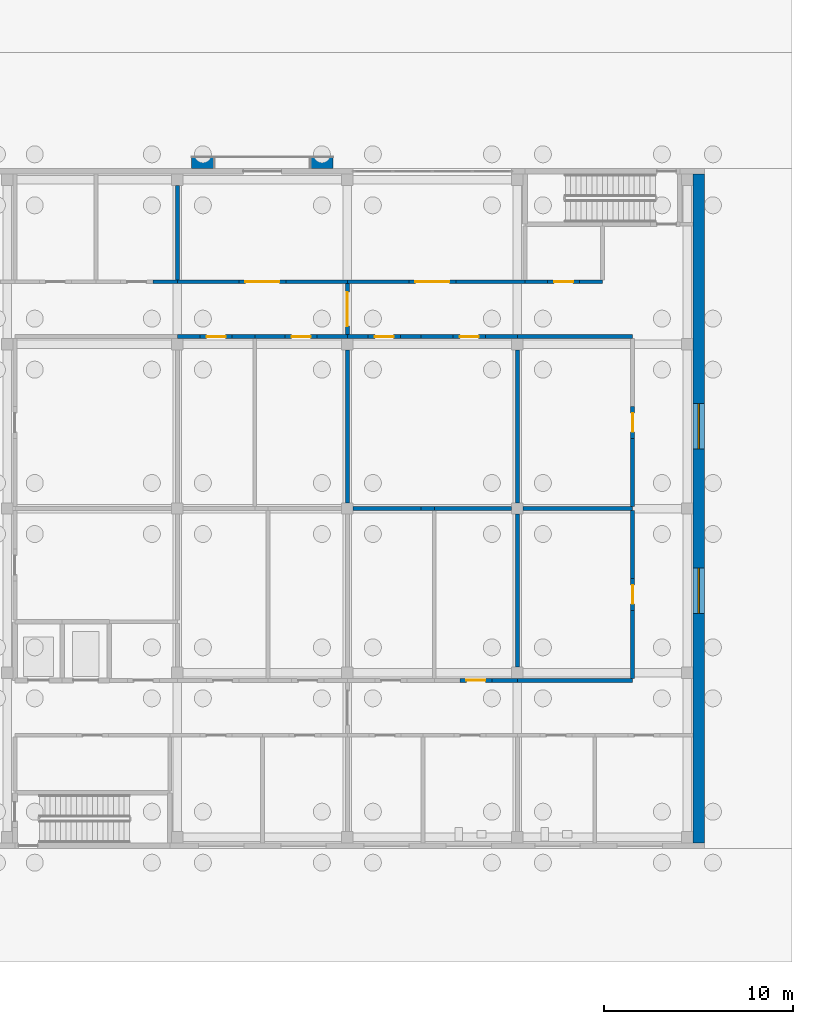
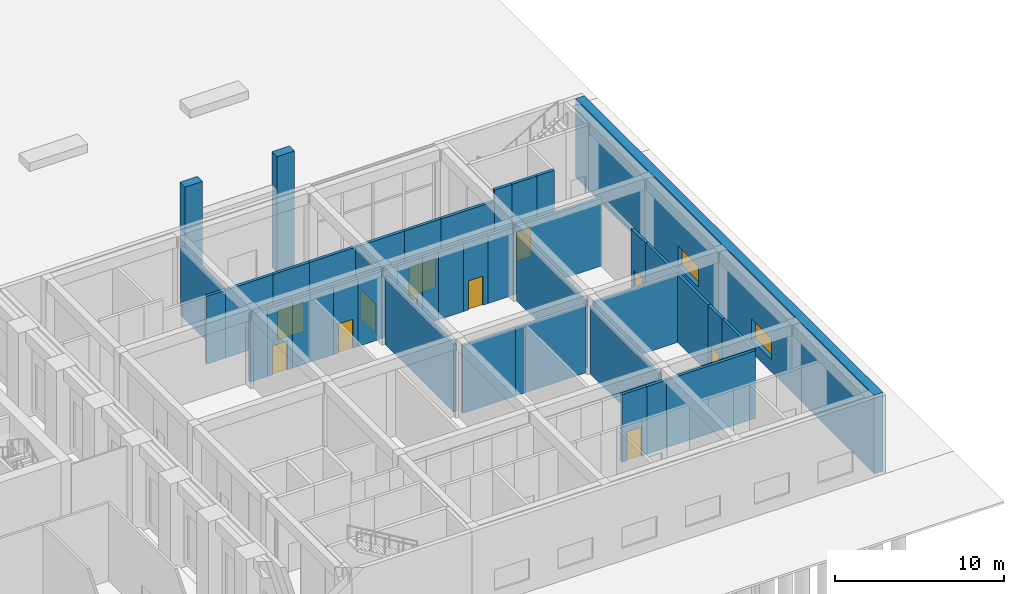
# One storey, part 21 of 31: 43 walls, 11 doors, 2 windows, 13 openings.
"""IFC4 building model written with IfcOpenShell, lengths in metres."""

from ifc_helpers import new_model, si_unit, direction, frame, frame_2d, origin, place, context, subcontext, project, spatial, rectangle, extrude, material, layer, layer_set, type_object, element, fill, save


model = new_model("IFC4")

# Units and contexts
model_context = context("Model", 3, precision=1e-05, world=origin(), true_north=direction((0.0, 1.0)))
body_context = subcontext(model_context, "Body", "Model", "MODEL_VIEW")
ifc_project = project(units=[si_unit("LENGTHUNIT", "METRE"), si_unit("AREAUNIT", "SQUARE_METRE"), si_unit("VOLUMEUNIT", "CUBIC_METRE"), si_unit("PLANEANGLEUNIT", "RADIAN"), si_unit("MASSUNIT", "GRAM", prefix="KILO")], contexts=[model_context])

# Site, building, storey
site_placement = place(None, origin())
site = spatial("IfcSite", under=ifc_project, at=site_placement, CompositionType="ELEMENT")
building_placement = place(site_placement, origin())
building = spatial("IfcBuilding", under=site, at=building_placement, Name="Girih Gate Residences", CompositionType="ELEMENT")
storey_placement = place(building_placement, origin())
storey = spatial("IfcBuildingStorey", under=building, at=storey_placement, Name="L00", CompositionType="ELEMENT", Elevation=0.0)

# Wall, opening, door
ifc_material_1 = material(Name="Fire-rated gypsum partition")
ifc_layer_1 = layer(ifc_material_1, 0.199951171875)
ifc_layer_set_1 = layer_set([ifc_layer_1], Name="HC Corridor wall 200 EI 60")
wall_type_1 = type_object("IfcWallType", Name="HC Corridor wall 200 EI 60", PredefinedType="PARTITIONING", material=ifc_layer_set_1)
wall_1_placement = place(storey_placement, frame((77.39990234375, 17.89990234375, 0.0), z_axis=(0.0, 0.0, 1.0), x_axis=(1.0, 0.0, 0.0)))
wall_1 = element("IfcWall", 1, at=wall_1_placement, inside=storey, type_object=wall_type_1, Name="L00 wall x17.90/77.4", PredefinedType="PARTITIONING", context=body_context, shape_type="SweptSolid", body=[
    extrude(rectangle(XDim=1.7001953125, YDim=0.199951171875, at=frame_2d((0.85009765625, 0.0))), origin(), (0.0, 0.0, 1.0), 4.89990234375),
])
opening_1_placement = place(wall_1_placement, frame((0.35009765625, 0.0, 0.0)))
opening_1 = element("IfcOpeningElement", 2, at=opening_1_placement, cuts=wall_1, Name="Opening HC-L00-D21", PredefinedType="OPENING", context=body_context, shape_type="SweptSolid", body=[
    extrude(rectangle(XDim=1.0, YDim=2.10009765625, at=frame_2d((0.5, 1.050048828125))), frame((0.0, 0.10986328125, 0.0), z_axis=(0.0, -1.0, 0.0), x_axis=(1.0, 0.0, 0.0)), (0.0, 0.0, 1.0), 0.219970703125),
])
ifc_material_2 = material(Name="Timber door set", Category="wood")
door_type_1 = type_object("IfcDoorType", Name="HC Door 1000x2100 FD30S", OperationType="NOTDEFINED", PredefinedType="DOOR", material=ifc_material_2)
door_1_placement = place(opening_1_placement, origin())
door_1 = element("IfcDoor", 3, at=door_1_placement, inside=storey, type_object=door_type_1, Name="L00 Clean utility room door", OperationType="SINGLE_SWING_LEFT", OverallHeight=2.10009765625, OverallWidth=1.0, PredefinedType="DOOR", context=body_context, shape_type="SweptSolid", body=[
    extrude(rectangle(XDim=1.0, YDim=2.10009765625, at=frame_2d((0.5, 1.050048828125))), frame((0.0, 0.02490234375, 0.0), z_axis=(0.0, -1.0, 0.0), x_axis=(1.0, 0.0, 0.0)), (0.0, 0.0, 1.0), 0.050048828125),
])
fill(opening_1, door_1)

# Walls
wall_2_placement = place(storey_placement, frame((79.10009765625, 17.89990234375, 0.0), z_axis=(0.0, 0.0, 1.0), x_axis=(1.0, 0.0, 0.0)))
element("IfcWall", 4, at=wall_2_placement, inside=storey, type_object=wall_type_1, Name="L00 wall x17.90/79.1", PredefinedType="PARTITIONING", context=body_context, shape_type="SweptSolid", body=[
    extrude(rectangle(XDim=1.349853515625, YDim=0.199951171875, at=frame_2d((0.6748046875, 0.0))), origin(), (0.0, 0.0, 1.0), 4.89990234375),
])
wall_3_placement = place(storey_placement, frame((80.449951171875, 17.89990234375, 0.0), z_axis=(0.0, 0.0, 1.0), x_axis=(1.0, 0.0, 0.0)))
element("IfcWall", 5, at=wall_3_placement, inside=storey, type_object=wall_type_1, Name="L00 wall x17.90/80.5", PredefinedType="PARTITIONING", context=body_context, shape_type="SweptSolid", body=[
    extrude(rectangle(XDim=6.10009765625, YDim=0.199951171875, at=frame_2d((3.050048828125, 0.0))), origin(), (0.0, 0.0, 1.0), 4.89990234375),
])
wall_4_placement = place(storey_placement, frame((62.449951171875, 36.10009765625, 0.0), z_axis=(0.0, 0.0, 1.0), x_axis=(1.0, 0.0, 0.0)))
element("IfcWall", 6, at=wall_4_placement, inside=storey, type_object=wall_type_1, Name="L00 wall x36.10/62.5", PredefinedType="PARTITIONING", context=body_context, shape_type="SweptSolid", body=[
    extrude(rectangle(XDim=1.199951171875, YDim=0.199951171875, at=frame_2d((0.60009765625, 0.0))), origin(), (0.0, 0.0, 1.0), 4.89990234375),
])

# Wall, opening, door
wall_5_placement = place(storey_placement, frame((65.35009765625, 36.10009765625, 0.0), z_axis=(0.0, 0.0, 1.0), x_axis=(-1.0, 0.0, 0.0)))
wall_5 = element("IfcWall", 7, at=wall_5_placement, inside=storey, type_object=wall_type_1, Name="L00 wall x36.10/63.6", PredefinedType="PARTITIONING", context=body_context, shape_type="SweptSolid", body=[
    extrude(rectangle(XDim=1.7001953125, YDim=0.199951171875, at=frame_2d((0.85009765625, 0.0))), origin(), (0.0, 0.0, 1.0), 4.89990234375),
])
opening_2_placement = place(wall_5_placement, frame((0.35009765625, 0.0, 0.0)))
opening_2 = element("IfcOpeningElement", 8, at=opening_2_placement, cuts=wall_5, Name="Opening HC-L00-D24", PredefinedType="OPENING", context=body_context, shape_type="SweptSolid", body=[
    extrude(rectangle(XDim=1.0, YDim=2.10009765625, at=frame_2d((0.5, 1.050048828125))), frame((0.0, 0.10986328125, 0.0), z_axis=(0.0, -1.0, 0.0), x_axis=(1.0, 0.0, 0.0)), (0.0, 0.0, 1.0), 0.219970703125),
])
door_2_placement = place(opening_2_placement, origin())
door_2 = element("IfcDoor", 9, at=door_2_placement, inside=storey, type_object=door_type_1, Name="L00 Interview room door", OperationType="SINGLE_SWING_LEFT", OverallHeight=2.10009765625, OverallWidth=1.0, PredefinedType="DOOR", context=body_context, shape_type="SweptSolid", body=[
    extrude(rectangle(XDim=1.0, YDim=2.10009765625, at=frame_2d((0.5, 1.050048828125))), frame((0.0, 0.02490234375, 0.0), z_axis=(0.0, -1.0, 0.0), x_axis=(1.0, 0.0, 0.0)), (0.0, 0.0, 1.0), 0.050048828125),
])
fill(opening_2, door_2)

# Walls
wall_6_placement = place(storey_placement, frame((65.35009765625, 36.10009765625, 0.0), z_axis=(0.0, 0.0, 1.0), x_axis=(1.0, 0.0, 0.0)))
element("IfcWall", 10, at=wall_6_placement, inside=storey, type_object=wall_type_1, Name="L00 wall x36.10/65.3", PredefinedType="PARTITIONING", context=body_context, shape_type="SweptSolid", body=[
    extrude(rectangle(XDim=1.199951171875, YDim=0.199951171875, at=frame_2d((0.60009765625, 0.0))), origin(), (0.0, 0.0, 1.0), 4.89990234375),
])
wall_7_placement = place(storey_placement, frame((66.550048828125, 36.10009765625, 0.0), z_axis=(0.0, 0.0, 1.0), x_axis=(1.0, 0.0, 0.0)))
element("IfcWall", 11, at=wall_7_placement, inside=storey, type_object=wall_type_1, Name="L00 wall x36.10/66.5", PredefinedType="PARTITIONING", context=body_context, shape_type="SweptSolid", body=[
    extrude(rectangle(XDim=1.599853515625, YDim=0.199951171875, at=frame_2d((0.7998046875, 0.0))), origin(), (0.0, 0.0, 1.0), 4.89990234375),
])

# Wall, opening, door
wall_8_placement = place(storey_placement, frame((69.85009765625, 36.10009765625, 0.0), z_axis=(0.0, 0.0, 1.0), x_axis=(-1.0, 0.0, 0.0)))
wall_8 = element("IfcWall", 12, at=wall_8_placement, inside=storey, type_object=wall_type_1, Name="L00 wall x36.10/68.2", PredefinedType="PARTITIONING", context=body_context, shape_type="SweptSolid", body=[
    extrude(rectangle(XDim=1.7001953125, YDim=0.199951171875, at=frame_2d((0.85009765625, 0.0))), origin(), (0.0, 0.0, 1.0), 4.89990234375),
])
opening_3_placement = place(wall_8_placement, frame((0.35009765625, 0.0, 0.0)))
opening_3 = element("IfcOpeningElement", 13, at=opening_3_placement, cuts=wall_8, Name="Opening HC-L00-D25", PredefinedType="OPENING", context=body_context, shape_type="SweptSolid", body=[
    extrude(rectangle(XDim=1.0, YDim=2.10009765625, at=frame_2d((0.5, 1.050048828125))), frame((0.0, 0.10986328125, 0.0), z_axis=(0.0, -1.0, 0.0), x_axis=(1.0, 0.0, 0.0)), (0.0, 0.0, 1.0), 0.219970703125),
])
door_3_placement = place(opening_3_placement, origin())
door_3 = element("IfcDoor", 14, at=door_3_placement, inside=storey, type_object=door_type_1, Name="L00 Children's waiting area door", OperationType="SINGLE_SWING_RIGHT", OverallHeight=2.10009765625, OverallWidth=1.0, PredefinedType="DOOR", context=body_context, shape_type="SweptSolid", body=[
    extrude(rectangle(XDim=1.0, YDim=2.10009765625, at=frame_2d((0.5, 1.050048828125))), frame((0.0, 0.02490234375, 0.0), z_axis=(0.0, -1.0, 0.0), x_axis=(1.0, 0.0, 0.0)), (0.0, 0.0, 1.0), 0.050048828125),
])
fill(opening_3, door_3)

# Walls
wall_9_placement = place(storey_placement, frame((69.85009765625, 36.10009765625, 0.0), z_axis=(0.0, 0.0, 1.0), x_axis=(1.0, 0.0, 0.0)))
element("IfcWall", 15, at=wall_9_placement, inside=storey, type_object=wall_type_1, Name="L00 wall x36.10/69.8", PredefinedType="PARTITIONING", context=body_context, shape_type="SweptSolid", body=[
    extrude(rectangle(XDim=1.599853515625, YDim=0.199951171875, at=frame_2d((0.7998046875, 0.0))), origin(), (0.0, 0.0, 1.0), 4.89990234375),
])
wall_10_placement = place(storey_placement, frame((71.449951171875, 36.10009765625, 0.0), z_axis=(0.0, 0.0, 1.0), x_axis=(1.0, 0.0, 0.0)))
element("IfcWall", 16, at=wall_10_placement, inside=storey, type_object=wall_type_1, Name="L00 wall x36.10/71.5", PredefinedType="PARTITIONING", context=body_context, shape_type="SweptSolid", body=[
    extrude(rectangle(XDim=1.10009765625, YDim=0.199951171875, at=frame_2d((0.550048828125, 0.0))), origin(), (0.0, 0.0, 1.0), 4.89990234375),
])

# Wall, opening, door
wall_11_placement = place(storey_placement, frame((74.25, 36.10009765625, 0.0), z_axis=(0.0, 0.0, 1.0), x_axis=(-1.0, 0.0, 0.0)))
wall_11 = element("IfcWall", 17, at=wall_11_placement, inside=storey, type_object=wall_type_1, Name="L00 wall x36.10/72.6", PredefinedType="PARTITIONING", context=body_context, shape_type="SweptSolid", body=[
    extrude(rectangle(XDim=1.699951171875, YDim=0.199951171875, at=frame_2d((0.85009765625, 0.0))), origin(), (0.0, 0.0, 1.0), 4.89990234375),
])
opening_4_placement = place(wall_11_placement, frame((0.35009765625, 0.0, 0.0)))
opening_4 = element("IfcOpeningElement", 18, at=opening_4_placement, cuts=wall_11, Name="Opening HC-L00-D26", PredefinedType="OPENING", context=body_context, shape_type="SweptSolid", body=[
    extrude(rectangle(XDim=1.0, YDim=2.10009765625, at=frame_2d((0.5, 1.050048828125))), frame((0.0, 0.10986328125, 0.0), z_axis=(0.0, -1.0, 0.0), x_axis=(1.0, 0.0, 0.0)), (0.0, 0.0, 1.0), 0.219970703125),
])
door_4_placement = place(opening_4_placement, origin())
door_4 = element("IfcDoor", 19, at=door_4_placement, inside=storey, type_object=door_type_1, Name="L00 Consulting room 1 door", OperationType="SINGLE_SWING_LEFT", OverallHeight=2.10009765625, OverallWidth=1.0, PredefinedType="DOOR", context=body_context, shape_type="SweptSolid", body=[
    extrude(rectangle(XDim=1.0, YDim=2.10009765625, at=frame_2d((0.5, 1.050048828125))), frame((0.0, 0.02490234375, 0.0), z_axis=(0.0, -1.0, 0.0), x_axis=(1.0, 0.0, 0.0)), (0.0, 0.0, 1.0), 0.050048828125),
])
fill(opening_4, door_4)

# Walls
wall_12_placement = place(storey_placement, frame((74.25, 36.10009765625, 0.0), z_axis=(0.0, 0.0, 1.0), x_axis=(1.0, 0.0, 0.0)))
element("IfcWall", 20, at=wall_12_placement, inside=storey, type_object=wall_type_1, Name="L00 wall x36.10/74.2", PredefinedType="PARTITIONING", context=body_context, shape_type="SweptSolid", body=[
    extrude(rectangle(XDim=1.10009765625, YDim=0.199951171875, at=frame_2d((0.550048828125, 0.0))), origin(), (0.0, 0.0, 1.0), 4.89990234375),
])
wall_13_placement = place(storey_placement, frame((75.35009765625, 36.10009765625, 0.0), z_axis=(0.0, 0.0, 1.0), x_axis=(1.0, 0.0, 0.0)))
element("IfcWall", 21, at=wall_13_placement, inside=storey, type_object=wall_type_1, Name="L00 wall x36.10/75.3", PredefinedType="PARTITIONING", context=body_context, shape_type="SweptSolid", body=[
    extrude(rectangle(XDim=1.699951171875, YDim=0.199951171875, at=frame_2d((0.85009765625, 0.0))), origin(), (0.0, 0.0, 1.0), 4.89990234375),
])

# Wall, opening, door
wall_14_placement = place(storey_placement, frame((78.75, 36.10009765625, 0.0), z_axis=(0.0, 0.0, 1.0), x_axis=(-1.0, 0.0, 0.0)))
wall_14 = element("IfcWall", 22, at=wall_14_placement, inside=storey, type_object=wall_type_1, Name="L00 wall x36.10/77.1", PredefinedType="PARTITIONING", context=body_context, shape_type="SweptSolid", body=[
    extrude(rectangle(XDim=1.699951171875, YDim=0.199951171875, at=frame_2d((0.85009765625, 0.0))), origin(), (0.0, 0.0, 1.0), 4.89990234375),
])
opening_5_placement = place(wall_14_placement, frame((0.35009765625, 0.0, 0.0)))
opening_5 = element("IfcOpeningElement", 23, at=opening_5_placement, cuts=wall_14, Name="Opening HC-L00-D27", PredefinedType="OPENING", context=body_context, shape_type="SweptSolid", body=[
    extrude(rectangle(XDim=1.0, YDim=2.10009765625, at=frame_2d((0.5, 1.050048828125))), frame((0.0, 0.10986328125, 0.0), z_axis=(0.0, -1.0, 0.0), x_axis=(1.0, 0.0, 0.0)), (0.0, 0.0, 1.0), 0.219970703125),
])
door_5_placement = place(opening_5_placement, origin())
door_5 = element("IfcDoor", 24, at=door_5_placement, inside=storey, type_object=door_type_1, Name="L00 Consulting room 2 door", OperationType="SINGLE_SWING_RIGHT", OverallHeight=2.10009765625, OverallWidth=1.0, PredefinedType="DOOR", context=body_context, shape_type="SweptSolid", body=[
    extrude(rectangle(XDim=1.0, YDim=2.10009765625, at=frame_2d((0.5, 1.050048828125))), frame((0.0, 0.02490234375, 0.0), z_axis=(0.0, -1.0, 0.0), x_axis=(1.0, 0.0, 0.0)), (0.0, 0.0, 1.0), 0.050048828125),
])
fill(opening_5, door_5)

# Walls
wall_15_placement = place(storey_placement, frame((78.75, 36.10009765625, 0.0), z_axis=(0.0, 0.0, 1.0), x_axis=(1.0, 0.0, 0.0)))
element("IfcWall", 25, at=wall_15_placement, inside=storey, type_object=wall_type_1, Name="L00 wall x36.10/78.8", PredefinedType="PARTITIONING", context=body_context, shape_type="SweptSolid", body=[
    extrude(rectangle(XDim=1.699951171875, YDim=0.199951171875, at=frame_2d((0.85009765625, 0.0))), origin(), (0.0, 0.0, 1.0), 4.89990234375),
])
wall_16_placement = place(storey_placement, frame((80.449951171875, 36.10009765625, 0.0), z_axis=(0.0, 0.0, 1.0), x_axis=(1.0, 0.0, 0.0)))
element("IfcWall", 26, at=wall_16_placement, inside=storey, type_object=wall_type_1, Name="L00 wall x36.10/80.5", PredefinedType="PARTITIONING", context=body_context, shape_type="SweptSolid", body=[
    extrude(rectangle(XDim=6.10009765625, YDim=0.199951171875, at=frame_2d((3.050048828125, 0.0))), origin(), (0.0, 0.0, 1.0), 4.89990234375),
])
wall_17_placement = place(storey_placement, frame((61.14990234375, 39.0, 0.0), z_axis=(0.0, 0.0, 1.0), x_axis=(1.0, 0.0, 0.0)))
element("IfcWall", 27, at=wall_17_placement, inside=storey, type_object=wall_type_1, Name="L00 wall x39.00/61.1", PredefinedType="PARTITIONING", context=body_context, shape_type="SweptSolid", body=[
    extrude(rectangle(XDim=1.300048828125, YDim=0.199951171875, at=frame_2d((0.64990234375, 0.0))), origin(), (0.0, 0.0, 1.0), 4.89990234375),
])
wall_18_placement = place(storey_placement, frame((62.449951171875, 39.0, 0.0), z_axis=(0.0, 0.0, 1.0), x_axis=(1.0, 0.0, 0.0)))
element("IfcWall", 28, at=wall_18_placement, inside=storey, type_object=wall_type_1, Name="L00 wall x39.00/62.5", PredefinedType="PARTITIONING", context=body_context, shape_type="SweptSolid", body=[
    extrude(rectangle(XDim=3.25, YDim=0.199951171875, at=frame_2d((1.625, 0.0))), origin(), (0.0, 0.0, 1.0), 4.89990234375),
])

# Wall, opening, door
wall_19_placement = place(storey_placement, frame((68.199951171875, 39.0, 0.0), z_axis=(0.0, 0.0, 1.0), x_axis=(-1.0, 0.0, 0.0)))
wall_19 = element("IfcWall", 29, at=wall_19_placement, inside=storey, type_object=wall_type_1, Name="L00 wall x39.00/65.7", PredefinedType="PARTITIONING", context=body_context, shape_type="SweptSolid", body=[
    extrude(rectangle(XDim=2.5, YDim=0.199951171875, at=frame_2d((1.25, 0.0))), origin(), (0.0, 0.0, 1.0), 4.89990234375),
])
opening_6_placement = place(wall_19_placement, frame((0.35009765625, 0.0, 0.0)))
opening_6 = element("IfcOpeningElement", 30, at=opening_6_placement, cuts=wall_19, Name="Opening HC-L00-D05", PredefinedType="OPENING", context=body_context, shape_type="SweptSolid", body=[
    extrude(rectangle(XDim=1.800048828125, YDim=2.10009765625, at=frame_2d((0.89990234375, 1.050048828125))), frame((0.0, 0.10986328125, 0.0), z_axis=(0.0, -1.0, 0.0), x_axis=(1.0, 0.0, 0.0)), (0.0, 0.0, 1.0), 0.219970703125),
])
ifc_material_3 = material(Name="Aluminium glazed door set", Category="aluminium")
door_type_2 = type_object("IfcDoorType", Name="HC Hall door pair 1800x2100", OperationType="NOTDEFINED", PredefinedType="DOOR", material=ifc_material_3)
door_6_placement = place(opening_6_placement, origin())
door_6 = element("IfcDoor", 31, at=door_6_placement, inside=storey, type_object=door_type_2, Name="L00 Health Hall door pair", OperationType="DOUBLE_DOOR_DOUBLE_SWING", OverallHeight=2.10009765625, OverallWidth=1.800048828125, PredefinedType="DOOR", context=body_context, shape_type="SweptSolid", body=[
    extrude(rectangle(XDim=1.800048828125, YDim=2.10009765625, at=frame_2d((0.89990234375, 1.050048828125))), frame((0.0, 0.02490234375, 0.0), z_axis=(0.0, -1.0, 0.0), x_axis=(1.0, 0.0, 0.0)), (0.0, 0.0, 1.0), 0.050048828125),
])
fill(opening_6, door_6)

# Walls
for number, where, z_axis, x_axis, name in (
    (32, (68.199951171875, 39.0, 0.0), (0.0, 0.0, 1.0), (1.0, 0.0, 0.0), "L00 wall x39.00/68.2"),
    (33, (71.449951171875, 39.0, 0.0), (0.0, 0.0, 1.0), (1.0, 0.0, 0.0), "L00 wall x39.00/71.5"),
):
    element("IfcWall", number, at=place(storey_placement, frame(where, z_axis=z_axis, x_axis=x_axis)), inside=storey, type_object=wall_type_1, Name=name, PredefinedType="PARTITIONING", context=body_context, shape_type="SweptSolid", body=[
        extrude(rectangle(XDim=3.25, YDim=0.199951171875, at=frame_2d((1.625, 0.0))), origin(), (0.0, 0.0, 1.0), 4.89990234375),
    ])

# Wall, opening, door
wall_20_placement = place(storey_placement, frame((77.199951171875, 39.0, 0.0), z_axis=(0.0, 0.0, 1.0), x_axis=(-1.0, 0.0, 0.0)))
wall_20 = element("IfcWall", 34, at=wall_20_placement, inside=storey, type_object=wall_type_1, Name="L00 wall x39.00/74.7", PredefinedType="PARTITIONING", context=body_context, shape_type="SweptSolid", body=[
    extrude(rectangle(XDim=2.5, YDim=0.199951171875, at=frame_2d((1.25, 0.0))), origin(), (0.0, 0.0, 1.0), 4.89990234375),
])
opening_7_placement = place(wall_20_placement, frame((0.35009765625, 0.0, 0.0)))
opening_7 = element("IfcOpeningElement", 35, at=opening_7_placement, cuts=wall_20, Name="Opening HC-L00-D06", PredefinedType="OPENING", context=body_context, shape_type="SweptSolid", body=[
    extrude(rectangle(XDim=1.800048828125, YDim=2.10009765625, at=frame_2d((0.89990234375, 1.050048828125))), frame((0.0, 0.10986328125, 0.0), z_axis=(0.0, -1.0, 0.0), x_axis=(1.0, 0.0, 0.0)), (0.0, 0.0, 1.0), 0.219970703125),
])
door_7_placement = place(opening_7_placement, origin())
door_7 = element("IfcDoor", 36, at=door_7_placement, inside=storey, type_object=door_type_2, Name="L00 Health Hall door pair", OperationType="DOUBLE_DOOR_DOUBLE_SWING", OverallHeight=2.10009765625, OverallWidth=1.800048828125, PredefinedType="DOOR", context=body_context, shape_type="SweptSolid", body=[
    extrude(rectangle(XDim=1.800048828125, YDim=2.10009765625, at=frame_2d((0.89990234375, 1.050048828125))), frame((0.0, 0.02490234375, 0.0), z_axis=(0.0, -1.0, 0.0), x_axis=(1.0, 0.0, 0.0)), (0.0, 0.0, 1.0), 0.050048828125),
])
fill(opening_7, door_7)

# Walls
wall_21_placement = place(storey_placement, frame((77.199951171875, 39.0, 0.0), z_axis=(0.0, 0.0, 1.0), x_axis=(1.0, 0.0, 0.0)))
element("IfcWall", 37, at=wall_21_placement, inside=storey, type_object=wall_type_1, Name="L00 wall x39.00/77.2", PredefinedType="PARTITIONING", context=body_context, shape_type="SweptSolid", body=[
    extrude(rectangle(XDim=3.650146484375, YDim=0.199951171875, at=frame_2d((1.8251953125, 0.0))), origin(), (0.0, 0.0, 1.0), 4.89990234375),
])
wall_22_placement = place(storey_placement, frame((80.85009765625, 39.0, 0.0), z_axis=(0.0, 0.0, 1.0), x_axis=(1.0, 0.0, 0.0)))
element("IfcWall", 38, at=wall_22_placement, inside=storey, type_object=wall_type_1, Name="L00 wall x39.00/80.8", PredefinedType="PARTITIONING", context=body_context, shape_type="SweptSolid", body=[
    extrude(rectangle(XDim=1.199951171875, YDim=0.199951171875, at=frame_2d((0.60009765625, 0.0))), origin(), (0.0, 0.0, 1.0), 5.699951171875),
])

# Wall, opening, door
wall_23_placement = place(storey_placement, frame((82.050048828125, 39.0, 0.0), z_axis=(0.0, 0.0, 1.0), x_axis=(1.0, 0.0, 0.0)))
wall_23 = element("IfcWall", 39, at=wall_23_placement, inside=storey, type_object=wall_type_1, Name="L00 wall x39.00/82.1", PredefinedType="PARTITIONING", context=body_context, shape_type="SweptSolid", body=[
    extrude(rectangle(XDim=1.699951171875, YDim=0.199951171875, at=frame_2d((0.85009765625, 0.0))), origin(), (0.0, 0.0, 1.0), 5.699951171875),
])
opening_8_placement = place(wall_23_placement, frame((0.35009765625, 0.0, 0.0)))
opening_8 = element("IfcOpeningElement", 40, at=opening_8_placement, cuts=wall_23, Name="Opening HC-L00-D32", PredefinedType="OPENING", context=body_context, shape_type="SweptSolid", body=[
    extrude(rectangle(XDim=1.0, YDim=2.10009765625, at=frame_2d((0.5, 1.050048828125))), frame((0.0, 0.10986328125, 0.0), z_axis=(0.0, -1.0, 0.0), x_axis=(1.0, 0.0, 0.0)), (0.0, 0.0, 1.0), 0.219970703125),
])
door_8_placement = place(opening_8_placement, origin())
door_8 = element("IfcDoor", 41, at=door_8_placement, inside=storey, type_object=door_type_1, Name="L00 Medical records store door", OperationType="SINGLE_SWING_RIGHT", OverallHeight=2.10009765625, OverallWidth=1.0, PredefinedType="DOOR", context=body_context, shape_type="SweptSolid", body=[
    extrude(rectangle(XDim=1.0, YDim=2.10009765625, at=frame_2d((0.5, 1.050048828125))), frame((0.0, 0.02490234375, 0.0), z_axis=(0.0, -1.0, 0.0), x_axis=(1.0, 0.0, 0.0)), (0.0, 0.0, 1.0), 0.050048828125),
])
fill(opening_8, door_8)

# Walls
wall_24_placement = place(storey_placement, frame((83.75, 39.0, 0.0), z_axis=(0.0, 0.0, 1.0), x_axis=(1.0, 0.0, 0.0)))
element("IfcWall", 42, at=wall_24_placement, inside=storey, type_object=wall_type_1, Name="L00 wall x39.00/83.8", PredefinedType="PARTITIONING", context=body_context, shape_type="SweptSolid", body=[
    extrude(rectangle(XDim=1.199951171875, YDim=0.199951171875, at=frame_2d((0.60009765625, 0.0))), origin(), (0.0, 0.0, 1.0), 5.699951171875),
])
wall_25_placement = place(storey_placement, frame((62.449951171875, 39.10009765625, 0.0), z_axis=(0.0, 0.0, 1.0), x_axis=(0.0, 1.0, 0.0)))
element("IfcWall", 43, at=wall_25_placement, inside=storey, type_object=wall_type_1, Name="L00 wall y62.45/39.1", PredefinedType="PARTITIONING", context=body_context, shape_type="SweptSolid", body=[
    extrude(rectangle(XDim=5.0, YDim=0.199951171875, at=frame_2d((2.5, 0.0))), origin(), (0.0, 0.0, 1.0), 4.89990234375),
])

# Wall, opening, door
wall_26_placement = place(storey_placement, frame((71.449951171875, 38.89990234375, 0.0), z_axis=(0.0, 0.0, 1.0), x_axis=(0.0, -1.0, 0.0)))
wall_26 = element("IfcWall", 44, at=wall_26_placement, inside=storey, type_object=wall_type_1, Name="L00 wall y71.45/36.2", PredefinedType="PARTITIONING", context=body_context, shape_type="SweptSolid", body=[
    extrude(rectangle(XDim=2.699951171875, YDim=0.199951171875, at=frame_2d((1.35009765625, 0.0))), origin(), (0.0, 0.0, 1.0), 4.89990234375),
])
opening_9_placement = place(wall_26_placement, frame((0.449951171875, 0.0, 0.0)))
opening_9 = element("IfcOpeningElement", 45, at=opening_9_placement, cuts=wall_26, Name="Opening HC-L00-D08", PredefinedType="OPENING", context=body_context, shape_type="SweptSolid", body=[
    extrude(rectangle(XDim=1.800048828125, YDim=2.10009765625, at=frame_2d((0.89990234375, 1.050048828125))), frame((0.0, 0.10986328125, 0.0), z_axis=(0.0, -1.0, 0.0), x_axis=(1.0, 0.0, 0.0)), (0.0, 0.0, 1.0), 0.219970703125),
])
door_type_3 = type_object("IfcDoorType", Name="HC Corridor fire door pair 1800x2100 FD30S", OperationType="NOTDEFINED", PredefinedType="DOOR", material=ifc_material_2)
door_9_placement = place(opening_9_placement, origin())
door_9 = element("IfcDoor", 46, at=door_9_placement, inside=storey, type_object=door_type_3, Name="L00 corridor north fire door pair", OperationType="DOUBLE_DOOR_DOUBLE_SWING", OverallHeight=2.10009765625, OverallWidth=1.800048828125, PredefinedType="DOOR", context=body_context, shape_type="SweptSolid", body=[
    extrude(rectangle(XDim=1.800048828125, YDim=2.10009765625, at=frame_2d((0.89990234375, 1.050048828125))), frame((0.0, 0.02490234375, 0.0), z_axis=(0.0, -1.0, 0.0), x_axis=(1.0, 0.0, 0.0)), (0.0, 0.0, 1.0), 0.050048828125),
])
fill(opening_9, door_9)

# Wall
wall_27_placement = place(storey_placement, frame((86.550048828125, 18.0, 0.0), z_axis=(0.0, 0.0, 1.0), x_axis=(0.0, 1.0, 0.0)))
element("IfcWall", 47, at=wall_27_placement, inside=storey, type_object=wall_type_1, Name="L00 wall y86.55/18.0", PredefinedType="PARTITIONING", context=body_context, shape_type="SweptSolid", body=[
    extrude(rectangle(XDim=3.60009765625, YDim=0.199951171875, at=frame_2d((1.800048828125, 0.0))), origin(), (0.0, 0.0, 1.0), 4.89990234375),
])

# Wall, opening, door
wall_28_placement = place(storey_placement, frame((86.550048828125, 21.60009765625, 0.0), z_axis=(0.0, 0.0, 1.0), x_axis=(0.0, 1.0, 0.0)))
wall_28 = element("IfcWall", 48, at=wall_28_placement, inside=storey, type_object=wall_type_1, Name="L00 wall y86.55/21.6", PredefinedType="PARTITIONING", context=body_context, shape_type="SweptSolid", body=[
    extrude(rectangle(XDim=1.699951171875, YDim=0.199951171875, at=frame_2d((0.85009765625, 0.0))), origin(), (0.0, 0.0, 1.0), 4.89990234375),
])
opening_10_placement = place(wall_28_placement, frame((0.35009765625, 0.0, 0.0)))
opening_10 = element("IfcOpeningElement", 49, at=opening_10_placement, cuts=wall_28, Name="Opening HC-L00-D22", PredefinedType="OPENING", context=body_context, shape_type="SweptSolid", body=[
    extrude(rectangle(XDim=1.0, YDim=2.10009765625, at=frame_2d((0.5, 1.050048828125))), frame((0.0, 0.10986328125, 0.0), z_axis=(0.0, -1.0, 0.0), x_axis=(1.0, 0.0, 0.0)), (0.0, 0.0, 1.0), 0.219970703125),
])
door_10_placement = place(opening_10_placement, origin())
door_10 = element("IfcDoor", 50, at=door_10_placement, inside=storey, type_object=door_type_1, Name="L00 Minor procedures room door", OperationType="SINGLE_SWING_RIGHT", OverallHeight=2.10009765625, OverallWidth=1.0, PredefinedType="DOOR", context=body_context, shape_type="SweptSolid", body=[
    extrude(rectangle(XDim=1.0, YDim=2.10009765625, at=frame_2d((0.5, 1.050048828125))), frame((0.0, 0.02490234375, 0.0), z_axis=(0.0, -1.0, 0.0), x_axis=(1.0, 0.0, 0.0)), (0.0, 0.0, 1.0), 0.050048828125),
])
fill(opening_10, door_10)

# Walls
for number, where, z_axis, x_axis, name in (
    (51, (86.550048828125, 23.300048828125, 0.0), (0.0, 0.0, 1.0), (0.0, 1.0, 0.0), "L00 wall y86.55/23.3"),
    (52, (86.550048828125, 27.10009765625, 0.0), (0.0, 0.0, 1.0), (0.0, 1.0, 0.0), "L00 wall y86.55/27.1"),
):
    element("IfcWall", number, at=place(storey_placement, frame(where, z_axis=z_axis, x_axis=x_axis)), inside=storey, type_object=wall_type_1, Name=name, PredefinedType="PARTITIONING", context=body_context, shape_type="SweptSolid", body=[
        extrude(rectangle(XDim=3.599853515625, YDim=0.199951171875, at=frame_2d((1.7998046875, 0.0))), origin(), (0.0, 0.0, 1.0), 4.89990234375),
    ])

# Wall, opening, door
wall_29_placement = place(storey_placement, frame((86.550048828125, 30.699951171875, 0.0), z_axis=(0.0, 0.0, 1.0), x_axis=(0.0, 1.0, 0.0)))
wall_29 = element("IfcWall", 53, at=wall_29_placement, inside=storey, type_object=wall_type_1, Name="L00 wall y86.55/30.7", PredefinedType="PARTITIONING", context=body_context, shape_type="SweptSolid", body=[
    extrude(rectangle(XDim=1.699951171875, YDim=0.199951171875, at=frame_2d((0.85009765625, 0.0))), origin(), (0.0, 0.0, 1.0), 4.89990234375),
])
opening_11_placement = place(wall_29_placement, frame((0.35009765625, 0.0, 0.0)))
opening_11 = element("IfcOpeningElement", 54, at=opening_11_placement, cuts=wall_29, Name="Opening HC-L00-D28", PredefinedType="OPENING", context=body_context, shape_type="SweptSolid", body=[
    extrude(rectangle(XDim=1.0, YDim=2.10009765625, at=frame_2d((0.5, 1.050048828125))), frame((0.0, 0.10986328125, 0.0), z_axis=(0.0, -1.0, 0.0), x_axis=(1.0, 0.0, 0.0)), (0.0, 0.0, 1.0), 0.219970703125),
])
door_11_placement = place(opening_11_placement, origin())
door_11 = element("IfcDoor", 55, at=door_11_placement, inside=storey, type_object=door_type_1, Name="L00 Nurse triage office door", OperationType="SINGLE_SWING_RIGHT", OverallHeight=2.10009765625, OverallWidth=1.0, PredefinedType="DOOR", context=body_context, shape_type="SweptSolid", body=[
    extrude(rectangle(XDim=1.0, YDim=2.10009765625, at=frame_2d((0.5, 1.050048828125))), frame((0.0, 0.02490234375, 0.0), z_axis=(0.0, -1.0, 0.0), x_axis=(1.0, 0.0, 0.0)), (0.0, 0.0, 1.0), 0.050048828125),
])
fill(opening_11, door_11)

# Wall, openings, windows
ifc_material_4 = material(Name="Precast concrete C40/50", Category="concrete")
ifc_layer_2 = layer(ifc_material_4, 0.60009765625)
ifc_layer_set_2 = layer_set([ifc_layer_2], Name="HC Facade wall 600")
wall_type_2 = type_object("IfcWallType", Name="HC Facade wall 600", PredefinedType="SOLIDWALL", material=ifc_layer_set_2)
wall_30_placement = place(storey_placement, frame((90.050048828125, 9.300048828125, 0.0), z_axis=(0.0, 0.0, 1.0), x_axis=(0.0, 1.0, 0.0)))
wall_30 = element("IfcWall", 56, at=wall_30_placement, inside=storey, type_object=wall_type_2, Name="L00 east facade wall", PredefinedType="SOLIDWALL", context=body_context, shape_type="SweptSolid", body=[
    extrude(rectangle(XDim=35.39990234375, YDim=0.60009765625, at=frame_2d((17.699951171875, 0.0))), origin(), (0.0, 0.0, 1.0), 5.699951171875),
])
opening_12_placement = place(wall_30_placement, frame((12.14990234375, 0.0, 0.89990234375)))
opening_12 = element("IfcOpeningElement", 57, at=opening_12_placement, cuts=wall_30, Name="Opening HC-W-L00-E01", PredefinedType="OPENING", context=body_context, shape_type="SweptSolid", body=[
    extrude(rectangle(XDim=2.39990234375, YDim=1.5, at=frame_2d((1.199951171875, 0.75))), frame((0.0, 0.31005859375, 0.0), z_axis=(0.0, -1.0, 0.0), x_axis=(1.0, 0.0, 0.0)), (0.0, 0.0, 1.0), 0.6201171875),
])
opening_13_placement = place(wall_30_placement, frame((20.85009765625, 0.0, 0.89990234375)))
opening_13 = element("IfcOpeningElement", 58, at=opening_13_placement, cuts=wall_30, Name="Opening HC-W-L00-E02", PredefinedType="OPENING", context=body_context, shape_type="SweptSolid", body=[
    extrude(rectangle(XDim=2.39990234375, YDim=1.5, at=frame_2d((1.199951171875, 0.75))), frame((0.0, 0.31005859375, 0.0), z_axis=(0.0, -1.0, 0.0), x_axis=(1.0, 0.0, 0.0)), (0.0, 0.0, 1.0), 0.6201171875),
])
ifc_material_5 = material(Name="Aluminium framed glazing", Category="aluminium")
window_type = type_object("IfcWindowType", Name="HC Window W-4 2400x1500", PartitioningType="DOUBLE_PANEL_VERTICAL", PredefinedType="WINDOW", material=ifc_material_5)
window_1_placement = place(opening_12_placement, origin())
window_1 = element("IfcWindow", 59, at=window_1_placement, inside=storey, type_object=window_type, Name="L00 east window 1", OverallHeight=1.5, OverallWidth=2.39990234375, PartitioningType="DOUBLE_PANEL_VERTICAL", PredefinedType="WINDOW", context=body_context, shape_type="SweptSolid", body=[
    extrude(rectangle(XDim=2.39990234375, YDim=1.5, at=frame_2d((1.199951171875, 0.75))), frame((0.0, 0.030029296875, 0.0), z_axis=(0.0, -1.0, 0.0), x_axis=(1.0, 0.0, 0.0)), (0.0, 0.0, 1.0), 0.06005859375),
])
fill(opening_12, window_1)
window_2_placement = place(opening_13_placement, origin())
window_2 = element("IfcWindow", 60, at=window_2_placement, inside=storey, type_object=window_type, Name="L00 east window 2", OverallHeight=1.5, OverallWidth=2.39990234375, PartitioningType="DOUBLE_PANEL_VERTICAL", PredefinedType="WINDOW", context=body_context, shape_type="SweptSolid", body=[
    extrude(rectangle(XDim=2.39990234375, YDim=1.5, at=frame_2d((1.199951171875, 0.75))), frame((0.0, 0.030029296875, 0.0), z_axis=(0.0, -1.0, 0.0), x_axis=(1.0, 0.0, 0.0)), (0.0, 0.0, 1.0), 0.06005859375),
])
fill(opening_13, window_2)

# Walls
ifc_material_6 = material(Name="Precast concrete C50/60", Category="concrete")
ifc_layer_3 = layer(ifc_material_6, 0.60009765625)
ifc_layer_set_3 = layer_set([ifc_layer_3], Name="HC Portal piece 600")
wall_type_3 = type_object("IfcWallType", Name="HC Portal piece 600", PredefinedType="SOLIDWALL", material=ifc_layer_set_3)
for number, where, z_axis, x_axis, name in (
    (61, (63.199951171875, 45.300048828125, 0.0), (0.0, 0.0, 1.0), (1.0, 0.0, 0.0), "Entrance portal west jamb"),
    (62, (69.5, 45.300048828125, 0.0), (0.0, 0.0, 1.0), (1.0, 0.0, 0.0), "Entrance portal east jamb"),
):
    element("IfcWall", number, at=place(storey_placement, frame(where, z_axis=z_axis, x_axis=x_axis)), inside=storey, type_object=wall_type_3, Name=name, PredefinedType="SOLIDWALL", context=body_context, shape_type="SweptSolid", body=[
        extrude(rectangle(XDim=1.199951171875, YDim=0.60009765625, at=frame_2d((0.60009765625, 0.0))), origin(), (0.0, 0.0, 1.0), 8.39990234375),
    ])
ifc_material_7 = material(Name="Gypsum partition")
ifc_layer_4 = layer(ifc_material_7, 0.199951171875)
ifc_layer_set_4 = layer_set([ifc_layer_4], Name="HC Room partition 200 EI 30")
wall_type_4 = type_object("IfcWallType", Name="HC Room partition 200 EI 30", PredefinedType="PARTITIONING", material=ifc_layer_set_4)
wall_31_placement = place(storey_placement, frame((71.75, 27.0, 0.0), z_axis=(0.0, 0.0, 1.0), x_axis=(1.0, 0.0, 0.0)))
element("IfcWall", 63, at=wall_31_placement, inside=storey, type_object=wall_type_4, Name="L00 wall x27.00/71.8", PredefinedType="PARTITIONING", context=body_context, shape_type="SweptSolid", body=[
    extrude(rectangle(XDim=3.60009765625, YDim=0.199951171875, at=frame_2d((1.800048828125, 0.0))), origin(), (0.0, 0.0, 1.0), 4.89990234375),
])
wall_32_placement = place(storey_placement, frame((75.35009765625, 27.0, 0.0), z_axis=(0.0, 0.0, 1.0), x_axis=(1.0, 0.0, 0.0)))
element("IfcWall", 64, at=wall_32_placement, inside=storey, type_object=wall_type_4, Name="L00 wall x27.00/75.3", PredefinedType="PARTITIONING", context=body_context, shape_type="SweptSolid", body=[
    extrude(rectangle(XDim=0.699951171875, YDim=0.199951171875, at=frame_2d((0.35009765625, 0.0))), origin(), (0.0, 0.0, 1.0), 4.89990234375),
])
wall_33_placement = place(storey_placement, frame((76.050048828125, 27.0, 0.0), z_axis=(0.0, 0.0, 1.0), x_axis=(1.0, 0.0, 0.0)))
element("IfcWall", 65, at=wall_33_placement, inside=storey, type_object=wall_type_4, Name="L00 wall x27.00/76.0", PredefinedType="PARTITIONING", context=body_context, shape_type="SweptSolid", body=[
    extrude(rectangle(XDim=4.099853515625, YDim=0.199951171875, at=frame_2d((2.0498046875, 0.0))), origin(), (0.0, 0.0, 1.0), 4.89990234375),
])
wall_34_placement = place(storey_placement, frame((80.75, 27.0, 0.0), z_axis=(0.0, 0.0, 1.0), x_axis=(1.0, 0.0, 0.0)))
element("IfcWall", 66, at=wall_34_placement, inside=storey, type_object=wall_type_4, Name="L00 wall x27.00/80.8", PredefinedType="PARTITIONING", context=body_context, shape_type="SweptSolid", body=[
    extrude(rectangle(XDim=5.800048828125, YDim=0.199951171875, at=frame_2d((2.89990234375, 0.0))), origin(), (0.0, 0.0, 1.0), 4.89990234375),
])
for number, where, z_axis, x_axis, name in (
    (67, (71.449951171875, 27.300048828125, 0.0), (0.0, 0.0, 1.0), (0.0, 1.0, 0.0), "L00 wall y71.45/27.3"),
    (68, (80.449951171875, 18.60009765625, 0.0), (0.0, 0.0, 1.0), (0.0, 1.0, 0.0), "L00 wall y80.45/18.6"),
    (69, (80.449951171875, 27.300048828125, 0.0), (0.0, 0.0, 1.0), (0.0, 1.0, 0.0), "L00 wall y80.45/27.3"),
):
    element("IfcWall", number, at=place(storey_placement, frame(where, z_axis=z_axis, x_axis=x_axis)), inside=storey, type_object=wall_type_4, Name=name, PredefinedType="PARTITIONING", context=body_context, shape_type="SweptSolid", body=[
        extrude(rectangle(XDim=8.099853515625, YDim=0.199951171875, at=frame_2d((4.0498046875, 0.0))), origin(), (0.0, 0.0, 1.0), 4.89990234375),
    ])

save(model, "model.ifc")
